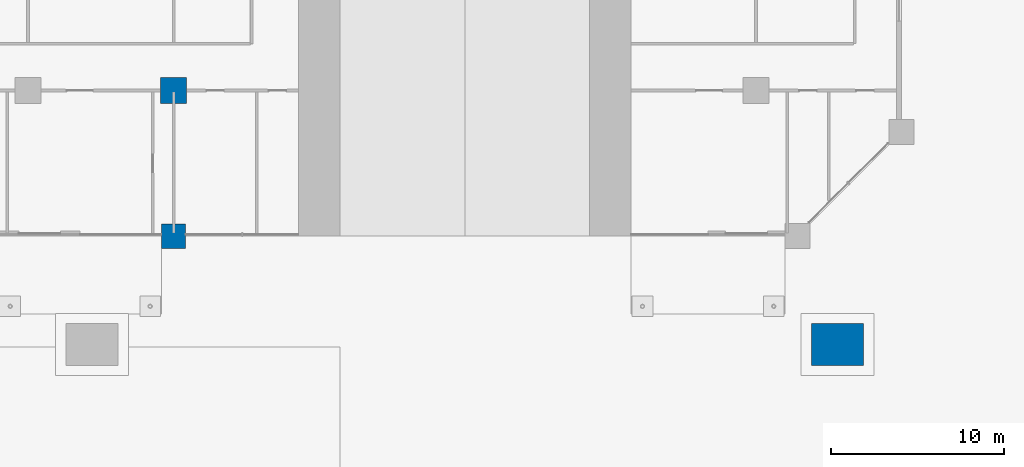
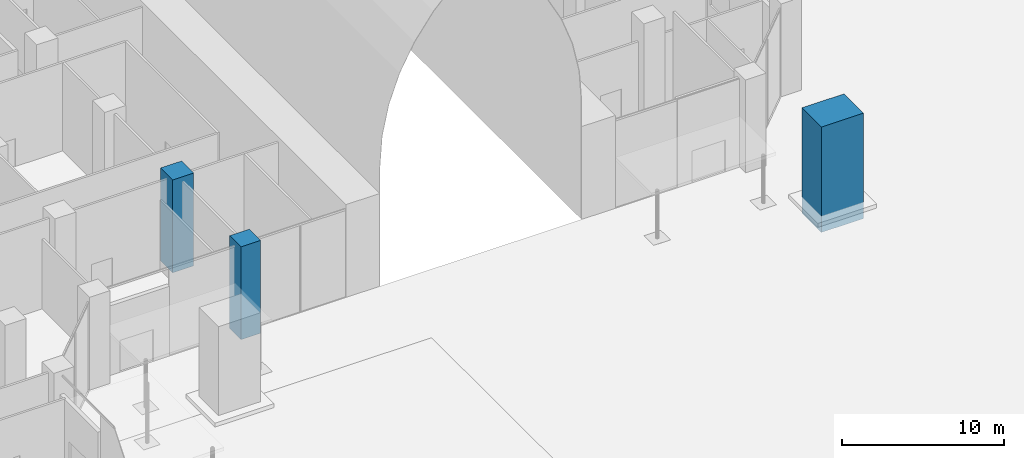
# One storey, part 7 of 32: 3 columns.
"""IFC4 building model written with IfcOpenShell, lengths in metres."""

from ifc_helpers import new_model, si_unit, direction, frame, origin, origin_2d, place, context, subcontext, project, spatial, rectangle, extrude, material, material_profile, profile_set, type_object, element, save


model = new_model("IFC4")

# Units and contexts
model_context = context("Model", 3, precision=1e-05, world=origin(), true_north=direction((0.0, 1.0)))
body_context = subcontext(model_context, "Body", "Model", "MODEL_VIEW")
ifc_project = project(units=[si_unit("LENGTHUNIT", "METRE"), si_unit("AREAUNIT", "SQUARE_METRE"), si_unit("VOLUMEUNIT", "CUBIC_METRE"), si_unit("PLANEANGLEUNIT", "RADIAN"), si_unit("MASSUNIT", "GRAM", prefix="KILO")], contexts=[model_context])

# Site, building, storey
site_placement = place(None, origin())
site = spatial("IfcSite", under=ifc_project, at=site_placement, CompositionType="ELEMENT")
building_placement = place(site_placement, origin())
building = spatial("IfcBuilding", under=site, at=building_placement, Name="Kawkab Arch Medical Tower", CompositionType="ELEMENT")
storey_placement = place(building_placement, origin())
storey = spatial("IfcBuildingStorey", under=building, at=storey_placement, Name="L01", CompositionType="ELEMENT", Elevation=0.0)

# Columns
ifc_material_1 = material(Name="Concrete C60/75", Category="concrete")
ifc_material_profile_1 = material_profile(ifc_material_1, rectangle(XDim=1.39990234375, YDim=1.39990234375, at=origin_2d()), Name="RC 1400x1400")
ifc_profile_set_1 = profile_set([ifc_material_profile_1], Name="Concrete C60/75")
column_type_1 = type_object("IfcColumnType", Name="RC 1400x1400 column C60/75", PredefinedType="COLUMN", material=ifc_profile_set_1)
column_1_placement = place(storey_placement, frame((50.39990234375, -33.60009765625, 0.0), z_axis=(0.0, 0.0, 1.0), x_axis=(1.0, 0.0, 0.0)))
element("IfcColumn", 1, at=column_1_placement, inside=storey, type_object=column_type_1, Name="Column RC 1400x1400", PredefinedType="COLUMN", context=body_context, shape_type="SweptSolid", body=[
    extrude(rectangle(XDim=1.39990234375, YDim=1.39990234375, at=origin_2d()), origin(), (0.0, 0.0, 1.0), 7.0),
])
ifc_material_2 = material(Name="Concrete C60/75", Category="concrete")
ifc_material_profile_2 = material_profile(ifc_material_2, rectangle(XDim=1.5, YDim=1.5, at=origin_2d()), Name="RC 1500x1500")
ifc_profile_set_2 = profile_set([ifc_material_profile_2], Name="Concrete C60/75")
column_type_2 = type_object("IfcColumnType", Name="RC 1500x1500 column C60/75", PredefinedType="COLUMN", material=ifc_profile_set_2)
column_2_placement = place(storey_placement, frame((50.39990234375, -25.199951171875, 0.0), z_axis=(0.0, 0.0, 1.0), x_axis=(1.0, 0.0, 0.0)))
element("IfcColumn", 2, at=column_2_placement, inside=storey, type_object=column_type_2, Name="Column RC 1500x1500", PredefinedType="COLUMN", context=body_context, shape_type="SweptSolid", body=[
    extrude(rectangle(XDim=1.5, YDim=1.5, at=origin_2d()), origin(), (0.0, 0.0, 1.0), 7.0),
])
ifc_material_3 = material(Name="Concrete C60/75", Category="concrete")
ifc_material_profile_3 = material_profile(ifc_material_3, rectangle(XDim=3.0, YDim=2.39990234375, at=origin_2d()), Name="RC 3000x2400")
ifc_profile_set_3 = profile_set([ifc_material_profile_3], Name="Concrete C60/75")
column_type_3 = type_object("IfcColumnType", Name="RC 3000x2400 column C60/75", PredefinedType="COLUMN", material=ifc_profile_set_3)
column_3_placement = place(storey_placement, frame((88.699951171875, -39.85009765625, -0.949951171875), z_axis=(0.0, 0.0, 1.0), x_axis=(1.0, 0.0, 0.0)))
element("IfcColumn", 3, at=column_3_placement, inside=storey, type_object=column_type_3, Name="Portal arch leg", PredefinedType="COLUMN", context=body_context, shape_type="SweptSolid", body=[
    extrude(rectangle(XDim=3.0, YDim=2.39990234375, at=origin_2d()), origin(), (0.0, 0.0, 1.0), 7.949951171875),
])

save(model, "model.ifc")
